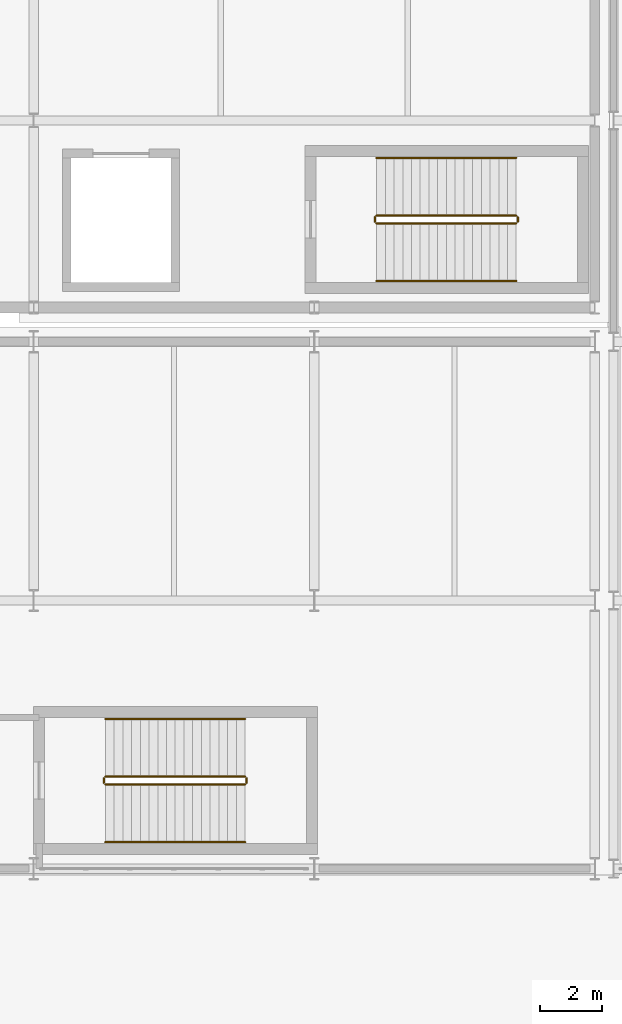
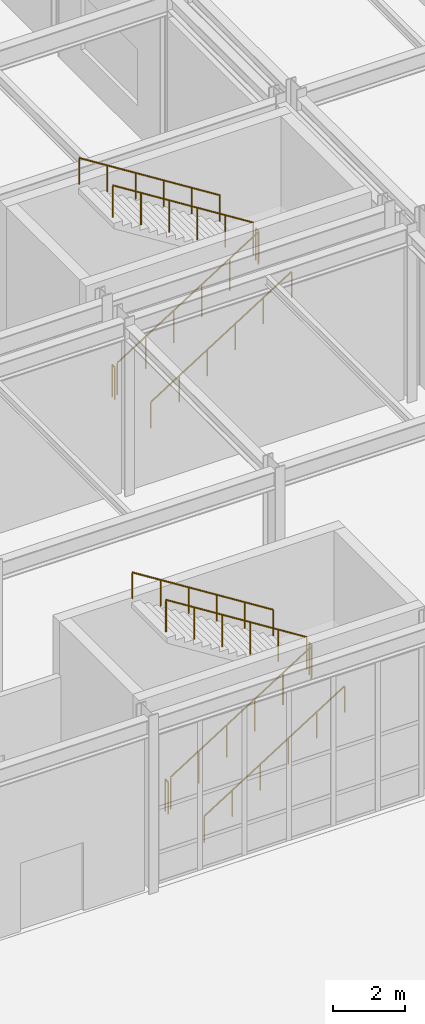
# One storey, part 136 of 146: 12 railings.
"""IFC4 building model written with IfcOpenShell, lengths in metres."""

import ifcopenshell
import ifcopenshell.guid

model = None  # the IFC model being written
_history = None  # IfcOwnerHistory: only IFC2X3 demands one
_inside = {}  # id of a spatial element -> (the spatial element, [elements in it])
_under = {}  # id of a project, library or spatial element -> (it, [spatial elements below it])
_declared = {}  # id of a project -> (the project, [libraries it declares])
_typed = {}  # id of a type object -> (the type object, [elements of that type])
_made_of = {}  # id of a material, layer set ... -> (it, [elements and type objects made of it])


def new_model(schema):
    """Start an empty IFC model of exactly this schema.

    Asked for "IFC4X3", IfcOpenShell would pick the latest addendum, in which some entities
    have other attributes; the version numbers below select the first issue.
    IFC2X3 requires an IfcOwnerHistory on every rooted entity: one is made here for all.
    """
    global model, _history
    if schema == "IFC4X3":
        model = ifcopenshell.file(schema_version=(4, 3, 0, 0))
    else:
        model = ifcopenshell.file(schema=schema)
    _inside.clear()
    _under.clear()
    _declared.clear()
    _typed.clear()
    _made_of.clear()
    _history = None
    if model.schema == "IFC2X3":
        org = make("IfcOrganization", Name="unknown")
        user = make(
            "IfcPersonAndOrganization",
            ThePerson=make("IfcPerson", FamilyName="unknown"),
            TheOrganization=org,
        )
        app = make(
            "IfcApplication",
            ApplicationDeveloper=org,
            Version="unknown",
            ApplicationFullName="unknown",
            ApplicationIdentifier="unknown",
        )
        _history = make(
            "IfcOwnerHistory",
            OwningUser=user,
            OwningApplication=app,
            ChangeAction="ADDED",
            CreationDate=0,
        )
    return model


def make(cls, **values):
    """One entity of the class cls with the attributes given. An attribute that is None is left unset."""
    return model.create_entity(
        cls, **{name: value for name, value in values.items() if value is not None}
    )


def rooted(cls, **values):
    """An entity with a GlobalId (a new one), such as an element, a storey or a relation."""
    return make(cls, GlobalId=ifcopenshell.guid.new(), OwnerHistory=_history, **values)


def si_unit(unit_type, name, prefix=None):
    """IfcSIUnit, for example si_unit("LENGTHUNIT", "METRE", prefix="MILLI")."""
    return make("IfcSIUnit", UnitType=unit_type, Prefix=prefix, Name=name)


def assignment(units):
    """IfcUnitAssignment: the units of a project."""
    return None if units is None else make("IfcUnitAssignment", Units=units)


def point(xyz):
    """IfcCartesianPoint."""
    return None if xyz is None else make("IfcCartesianPoint", Coordinates=xyz)


def direction(xyz):
    """IfcDirection."""
    return None if xyz is None else make("IfcDirection", DirectionRatios=xyz)


def frame(location, z_axis=None, x_axis=None):
    """IfcAxis2Placement3D, a coordinate frame: its origin and axes. An axis left out is left unset."""
    return make(
        "IfcAxis2Placement3D",
        Location=point(location),
        Axis=direction(z_axis),
        RefDirection=direction(x_axis),
    )


def frame_2d(location, x_axis=None):
    """IfcAxis2Placement2D, a coordinate frame in the plane: its origin and x axis."""
    return make(
        "IfcAxis2Placement2D", Location=point(location), RefDirection=direction(x_axis)
    )


def origin():
    """The frame at (0, 0, 0) with its axes left unset."""
    return frame((0.0, 0.0, 0.0))


def origin_2d():
    """The frame at (0, 0) in the plane with its x axis left unset."""
    return frame_2d((0.0, 0.0))


def place(relative_to, where):
    """IfcLocalPlacement: puts the frame where relative to a parent placement (None: the world)."""
    return make(
        "IfcLocalPlacement", PlacementRelTo=relative_to, RelativePlacement=where
    )


def context(
    kind, dimensions, precision=None, world=None, true_north=None, identifier=None
):
    """IfcGeometricRepresentationContext, for example the 3D "Model" context."""
    return make(
        "IfcGeometricRepresentationContext",
        ContextIdentifier=identifier,
        ContextType=kind,
        CoordinateSpaceDimension=dimensions,
        Precision=precision,
        WorldCoordinateSystem=world,
        TrueNorth=true_north,
    )


def subcontext(parent, identifier, kind, view, scale=None):
    """IfcGeometricRepresentationSubContext, for example "Body" below "Model"."""
    return make(
        "IfcGeometricRepresentationSubContext",
        ContextIdentifier=identifier,
        ContextType=kind,
        ParentContext=parent,
        TargetScale=scale,
        TargetView=view,
    )


def project(units=None, contexts=None):
    """IfcProject with its units and contexts."""
    return rooted(
        "IfcProject",
        Name="project",
        RepresentationContexts=contexts,
        UnitsInContext=assignment(units),
    )


def spatial(cls, under=None, at=None, **own):
    """A site, building, storey or space (cls), placed at a placement, below another one or the project."""
    s = rooted(cls, ObjectPlacement=at, **own)
    if under is not None:
        _under.setdefault(under.id(), (under, []))[1].append(s)
    return s


def profile(cls, at=None, kind="AREA", **sizes):
    """A parametric profile (cls). Its sizes go by their IFC names, for example OverallWidth=200.0."""
    return make(cls, ProfileType=kind, Position=at, **sizes)


def circle(**sizes):
    """IfcCircleProfileDef."""
    return profile("IfcCircleProfileDef", **sizes)


def extrude(swept, where, along, depth):
    """IfcExtrudedAreaSolid: the profile swept, set in the frame where, extruded along a direction by depth."""
    return make(
        "IfcExtrudedAreaSolid",
        SweptArea=swept,
        Position=where,
        ExtrudedDirection=direction(along),
        Depth=depth,
    )


def shape(context_of_items, identifier, shape_type, items):
    """IfcShapeRepresentation: the items that make up one representation, for example the "Body"."""
    return make(
        "IfcShapeRepresentation",
        ContextOfItems=context_of_items,
        RepresentationIdentifier=identifier,
        RepresentationType=shape_type,
        Items=items,
    )


def material(Name=None, Category=None):
    """IfcMaterial."""
    return make("IfcMaterial", Name=Name, Category=Category)


def made_of(thing, what):
    """Note that an element or type object is made of a material, layer set ...; save() writes the relation."""
    if what is not None:
        _made_of.setdefault(what.id(), (what, []))[1].append(thing)
    return thing


def type_object(cls, material=None, **own):
    """A type object (cls), such as IfcWallType, which elements share."""
    return made_of(rooted(cls, **own), material)


def element(
    cls,
    number,
    at=None,
    inside=None,
    cuts=None,
    type_object=None,
    material=None,
    context=None,
    identifier="Body",
    shape_type=None,
    held_by="IfcProductDefinitionShape",
    body=None,
    shapes=None,
    **own,
):
    """One element of the class cls, such as IfcWall. Its Tag is "e" and its number.

    at: its placement. inside: the storey or other place that contains it. cuts: it is an
    opening in that element (IfcRelVoidsElement). A single representation is given by context,
    identifier, shape_type and body (its items); several are given by shapes. held_by: the class
    of the entity that holds the representations. save() writes the other relations.
    """
    e = rooted(cls, Tag="e%d" % number, ObjectPlacement=at, **own)
    if body is not None:
        shapes = [shape(context, identifier, shape_type, body)]
    if shapes is not None:
        e.Representation = make(held_by, Representations=shapes)
    if inside is not None:
        _inside.setdefault(inside.id(), (inside, []))[1].append(e)
    if cuts is not None:
        rooted(
            "IfcRelVoidsElement", RelatingBuildingElement=cuts, RelatedOpeningElement=e
        )
    if type_object is not None:
        _typed.setdefault(type_object.id(), (type_object, []))[1].append(e)
    return made_of(e, material)


def aggregate(whole, parts):
    """IfcRelAggregates: a whole, such as a stair, and the parts it consists of."""
    return rooted("IfcRelAggregates", RelatingObject=whole, RelatedObjects=parts)


def save(model, path):
    """Write the relations noted so far, then the file.

    IfcRelAggregates (storeys below a building ...), IfcRelContainedInSpatialStructure (elements
    in a storey), IfcRelDefinesByType, IfcRelAssociatesMaterial and IfcRelDeclares: one each for
    every whole, place, type object, material and project.
    """
    for whole, parts in _under.values():
        aggregate(whole, parts)
    for where, things in _inside.values():
        rooted(
            "IfcRelContainedInSpatialStructure",
            RelatedElements=things,
            RelatingStructure=where,
        )
    for kind, things in _typed.values():
        rooted("IfcRelDefinesByType", RelatedObjects=things, RelatingType=kind)
    for what, things in _made_of.values():
        rooted("IfcRelAssociatesMaterial", RelatedObjects=things, RelatingMaterial=what)
    for by, libraries in _declared.values():
        rooted("IfcRelDeclares", RelatingContext=by, RelatedDefinitions=libraries)
    model.write(path)


model = new_model("IFC4")

# Units and contexts
model_context = context("Model", 3, precision=1e-05, world=origin(), true_north=direction((0.0, 1.0)))
body_context = subcontext(model_context, "Body", "Model", "MODEL_VIEW")
ifc_project = project(units=[si_unit("LENGTHUNIT", "METRE"), si_unit("AREAUNIT", "SQUARE_METRE"), si_unit("VOLUMEUNIT", "CUBIC_METRE"), si_unit("PLANEANGLEUNIT", "RADIAN"), si_unit("MASSUNIT", "GRAM", prefix="KILO")], contexts=[model_context])

# Site, building, storey
site_placement = place(None, origin())
site = spatial("IfcSite", under=ifc_project, at=site_placement, CompositionType="ELEMENT")
building_placement = place(site_placement, origin())
building = spatial("IfcBuilding", under=site, at=building_placement, Name="Kaldris Quays Convention Centre", CompositionType="ELEMENT")
storey_placement = place(building_placement, origin())
storey = spatial("IfcBuildingStorey", under=building, at=storey_placement, Name="L00", CompositionType="ELEMENT", Elevation=0.0)

# Railings
ifc_material_1 = material(Name="Steel S355J2", Category="steel")
railing_type_1 = type_object("IfcRailingType", Name="INTERIOR GUARDRAIL GR01", PredefinedType="GUARDRAIL", material=ifc_material_1)
railing_1_placement = place(storey_placement, frame((139.0, 58.699951171875, 0.176513671875)))
element("IfcRailing", 1, at=railing_1_placement, inside=storey, type_object=railing_type_1, Name="L00 ST02 Stair Guardrail 1", PredefinedType="GUARDRAIL", context=body_context, shape_type="SweptSolid", body=[
    extrude(circle(Radius=0.02392578125, at=origin_2d()), frame((0.0, 0.0, 1.076171875), z_axis=(0.845997938375, 0.0, 0.533186166611), x_axis=(0.0, 1.0, 0.0)), (0.0, 0.0, 1.0), 5.29541015625),
    extrude(circle(Radius=0.02099609375, at=origin_2d()), origin(), (0.0, 0.0, 1.0), 1.052001953125),
    extrude(circle(Radius=0.02099609375, at=origin_2d()), frame((0.89599609375, 0.0, 0.564697265625)), (0.0, 0.0, 1.0), 1.052001953125),
    extrude(circle(Radius=0.02099609375, at=origin_2d()), frame((1.7919921875, 0.0, 1.12939453125)), (0.0, 0.0, 1.0), 1.052001953125),
    extrude(circle(Radius=0.02099609375, at=origin_2d()), frame((2.68798828125, 0.0, 1.694091796875)), (0.0, 0.0, 1.0), 1.052001953125),
    extrude(circle(Radius=0.02099609375, at=origin_2d()), frame((3.583984375, 0.0, 2.2587890625)), (0.0, 0.0, 1.0), 1.052001953125),
    extrude(circle(Radius=0.02099609375, at=origin_2d()), frame((4.47998046875, 0.0, 2.823486328125)), (0.0, 0.0, 1.0), 1.052001953125),
])
railing_2_placement = place(storey_placement, frame((143.530029296875, 58.75, 3.0)))
element("IfcRailing", 2, at=railing_2_placement, inside=storey, type_object=railing_type_1, Name="L00 ST02 Stair Guardrail 2", PredefinedType="GUARDRAIL", context=body_context, shape_type="SweptSolid", body=[
    extrude(circle(Radius=0.02392578125, at=origin_2d()), frame((0.0, 0.0, 1.076171875), z_axis=(0.0, 1.0, 0.0), x_axis=(-1.0, 0.0, 0.0)), (0.0, 0.0, 1.0), 0.14990234375),
    extrude(circle(Radius=0.02099609375, at=origin_2d()), origin(), (0.0, 0.0, 1.0), 1.052001953125),
    extrude(circle(Radius=0.02099609375, at=origin_2d()), frame((0.0, 0.14990234375, 0.0)), (0.0, 0.0, 1.0), 1.052001953125),
])
railing_3_placement = place(storey_placement, frame((143.47998046875, 58.949951171875, 3.176513671875)))
element("IfcRailing", 3, at=railing_3_placement, inside=storey, type_object=railing_type_1, Name="L00 ST02 Stair Guardrail 3", PredefinedType="GUARDRAIL", context=body_context, shape_type="SweptSolid", body=[
    extrude(circle(Radius=0.02392578125, at=origin_2d()), frame((0.0, 0.0, 1.076171875), z_axis=(-0.845997938375, 0.0, 0.533186166611), x_axis=(0.0, -1.0, 0.0)), (0.0, 0.0, 1.0), 5.29541015625),
    extrude(circle(Radius=0.02099609375, at=origin_2d()), origin(), (0.0, 0.0, 1.0), 1.052001953125),
    extrude(circle(Radius=0.02099609375, at=origin_2d()), frame((-0.89599609375, 0.0, 0.564697265625)), (0.0, 0.0, 1.0), 1.052001953125),
    extrude(circle(Radius=0.02099609375, at=origin_2d()), frame((-1.7919921875, 0.0, 1.12939453125)), (0.0, 0.0, 1.0), 1.052001953125),
    extrude(circle(Radius=0.02099609375, at=origin_2d()), frame((-2.68798828125, 0.0, 1.694091796875)), (0.0, 0.0, 1.0), 1.052001953125),
    extrude(circle(Radius=0.02099609375, at=origin_2d()), frame((-3.583984375, 0.0, 2.2587890625)), (0.0, 0.0, 1.0), 1.052001953125),
    extrude(circle(Radius=0.02099609375, at=origin_2d()), frame((-4.47998046875, 0.0, 2.823486328125)), (0.0, 0.0, 1.0), 1.052001953125),
])
railing_4_placement = place(storey_placement, frame((138.949951171875, 58.75, 0.0)))
element("IfcRailing", 4, at=railing_4_placement, inside=storey, type_object=railing_type_1, Name="L00 ST02 Stair Guardrail 4", PredefinedType="GUARDRAIL", context=body_context, shape_type="SweptSolid", body=[
    extrude(circle(Radius=0.02392578125, at=origin_2d()), frame((0.0, 0.0, 1.076171875), z_axis=(0.0, 1.0, 0.0), x_axis=(-1.0, 0.0, 0.0)), (0.0, 0.0, 1.0), 0.14990234375),
    extrude(circle(Radius=0.02099609375, at=origin_2d()), origin(), (0.0, 0.0, 1.0), 1.052001953125),
    extrude(circle(Radius=0.02099609375, at=origin_2d()), frame((0.0, 0.14990234375, 0.0)), (0.0, 0.0, 1.0), 1.052001953125),
])
railing_5_placement = place(storey_placement, frame((130.300048828125, 40.699951171875, 0.176513671875)))
element("IfcRailing", 5, at=railing_5_placement, inside=storey, type_object=railing_type_1, Name="L00 ST12 Stair Guardrail 1", PredefinedType="GUARDRAIL", context=body_context, shape_type="SweptSolid", body=[
    extrude(circle(Radius=0.02392578125, at=origin_2d()), frame((0.0, 0.0, 1.076171875), z_axis=(0.845997938375, 0.0, 0.533186166611), x_axis=(0.0, 1.0, 0.0)), (0.0, 0.0, 1.0), 5.29541015625),
    extrude(circle(Radius=0.02099609375, at=origin_2d()), origin(), (0.0, 0.0, 1.0), 1.052001953125),
    extrude(circle(Radius=0.02099609375, at=origin_2d()), frame((0.89599609375, 0.0, 0.564697265625)), (0.0, 0.0, 1.0), 1.052001953125),
    extrude(circle(Radius=0.02099609375, at=origin_2d()), frame((1.7919921875, 0.0, 1.12939453125)), (0.0, 0.0, 1.0), 1.052001953125),
    extrude(circle(Radius=0.02099609375, at=origin_2d()), frame((2.68798828125, 0.0, 1.694091796875)), (0.0, 0.0, 1.0), 1.052001953125),
    extrude(circle(Radius=0.02099609375, at=origin_2d()), frame((3.583984375, 0.0, 2.2587890625)), (0.0, 0.0, 1.0), 1.052001953125),
    extrude(circle(Radius=0.02099609375, at=origin_2d()), frame((4.47998046875, 0.0, 2.823486328125)), (0.0, 0.0, 1.0), 1.052001953125),
])
railing_6_placement = place(storey_placement, frame((134.830078125, 40.75, 3.0)))
element("IfcRailing", 6, at=railing_6_placement, inside=storey, type_object=railing_type_1, Name="L00 ST12 Stair Guardrail 2", PredefinedType="GUARDRAIL", context=body_context, shape_type="SweptSolid", body=[
    extrude(circle(Radius=0.02392578125, at=origin_2d()), frame((0.0, 0.0, 1.076171875), z_axis=(0.0, 1.0, 0.0), x_axis=(-1.0, 0.0, 0.0)), (0.0, 0.0, 1.0), 0.14990234375),
    extrude(circle(Radius=0.02099609375, at=origin_2d()), origin(), (0.0, 0.0, 1.0), 1.052001953125),
    extrude(circle(Radius=0.02099609375, at=origin_2d()), frame((0.0, 0.14990234375, 0.0)), (0.0, 0.0, 1.0), 1.052001953125),
])
railing_7_placement = place(storey_placement, frame((134.780029296875, 40.949951171875, 3.176513671875)))
element("IfcRailing", 7, at=railing_7_placement, inside=storey, type_object=railing_type_1, Name="L00 ST12 Stair Guardrail 3", PredefinedType="GUARDRAIL", context=body_context, shape_type="SweptSolid", body=[
    extrude(circle(Radius=0.02392578125, at=origin_2d()), frame((0.0, 0.0, 1.076171875), z_axis=(-0.845997938375, 0.0, 0.533186166611), x_axis=(0.0, -1.0, 0.0)), (0.0, 0.0, 1.0), 5.29541015625),
    extrude(circle(Radius=0.02099609375, at=origin_2d()), origin(), (0.0, 0.0, 1.0), 1.052001953125),
    extrude(circle(Radius=0.02099609375, at=origin_2d()), frame((-0.89599609375, 0.0, 0.564697265625)), (0.0, 0.0, 1.0), 1.052001953125),
    extrude(circle(Radius=0.02099609375, at=origin_2d()), frame((-1.7919921875, 0.0, 1.12939453125)), (0.0, 0.0, 1.0), 1.052001953125),
    extrude(circle(Radius=0.02099609375, at=origin_2d()), frame((-2.68798828125, 0.0, 1.694091796875)), (0.0, 0.0, 1.0), 1.052001953125),
    extrude(circle(Radius=0.02099609375, at=origin_2d()), frame((-3.583984375, 0.0, 2.2587890625)), (0.0, 0.0, 1.0), 1.052001953125),
    extrude(circle(Radius=0.02099609375, at=origin_2d()), frame((-4.47998046875, 0.0, 2.823486328125)), (0.0, 0.0, 1.0), 1.052001953125),
])
railing_8_placement = place(storey_placement, frame((130.25, 40.75, 0.0)))
element("IfcRailing", 8, at=railing_8_placement, inside=storey, type_object=railing_type_1, Name="L00 ST12 Stair Guardrail 4", PredefinedType="GUARDRAIL", context=body_context, shape_type="SweptSolid", body=[
    extrude(circle(Radius=0.02392578125, at=origin_2d()), frame((0.0, 0.0, 1.076171875), z_axis=(0.0, 1.0, 0.0), x_axis=(-1.0, 0.0, 0.0)), (0.0, 0.0, 1.0), 0.14990234375),
    extrude(circle(Radius=0.02099609375, at=origin_2d()), origin(), (0.0, 0.0, 1.0), 1.052001953125),
    extrude(circle(Radius=0.02099609375, at=origin_2d()), frame((0.0, 0.14990234375, 0.0)), (0.0, 0.0, 1.0), 1.052001953125),
])
ifc_material_2 = material(Name="Stainless steel 1.4301", Category="steel")
railing_type_2 = type_object("IfcRailingType", Name="STAIR HANDRAIL HR01", PredefinedType="HANDRAIL", material=ifc_material_2)
railing_9_placement = place(storey_placement, frame((139.0, 56.85009765625, 0.176513671875)))
element("IfcRailing", 9, at=railing_9_placement, inside=storey, type_object=railing_type_2, Name="L00 ST02 Flight Handrail 1", PredefinedType="HANDRAIL", context=body_context, shape_type="SweptSolid", body=[
    extrude(circle(Radius=0.02392578125, at=origin_2d()), frame((0.0, 0.0, 0.8759765625), z_axis=(0.845997938375, 0.0, 0.533186166611), x_axis=(0.0, 1.0, 0.0)), (0.0, 0.0, 1.0), 5.29541015625),
    extrude(circle(Radius=0.02099609375, at=origin_2d()), origin(), (0.0, 0.0, 1.0), 0.851806640625),
    extrude(circle(Radius=0.02099609375, at=origin_2d()), frame((0.89599609375, 0.0, 0.564697265625)), (0.0, 0.0, 1.0), 0.851806640625),
    extrude(circle(Radius=0.02099609375, at=origin_2d()), frame((1.7919921875, 0.0, 1.12939453125)), (0.0, 0.0, 1.0), 0.851806640625),
    extrude(circle(Radius=0.02099609375, at=origin_2d()), frame((2.68798828125, 0.0, 1.694091796875)), (0.0, 0.0, 1.0), 0.851806640625),
    extrude(circle(Radius=0.02099609375, at=origin_2d()), frame((3.583984375, 0.0, 2.2587890625)), (0.0, 0.0, 1.0), 0.851806640625),
    extrude(circle(Radius=0.02099609375, at=origin_2d()), frame((4.47998046875, 0.0, 2.823486328125)), (0.0, 0.0, 1.0), 0.851806640625),
])
railing_10_placement = place(storey_placement, frame((143.47998046875, 60.800048828125, 3.176513671875)))
element("IfcRailing", 10, at=railing_10_placement, inside=storey, type_object=railing_type_2, Name="L00 ST02 Flight Handrail 2", PredefinedType="HANDRAIL", context=body_context, shape_type="SweptSolid", body=[
    extrude(circle(Radius=0.02392578125, at=origin_2d()), frame((0.0, 0.0, 0.8759765625), z_axis=(-0.845997938375, 0.0, 0.533186166611), x_axis=(0.0, -1.0, 0.0)), (0.0, 0.0, 1.0), 5.29541015625),
    extrude(circle(Radius=0.02099609375, at=origin_2d()), origin(), (0.0, 0.0, 1.0), 0.851806640625),
    extrude(circle(Radius=0.02099609375, at=origin_2d()), frame((-0.89599609375, 0.0, 0.564697265625)), (0.0, 0.0, 1.0), 0.851806640625),
    extrude(circle(Radius=0.02099609375, at=origin_2d()), frame((-1.7919921875, 0.0, 1.12939453125)), (0.0, 0.0, 1.0), 0.851806640625),
    extrude(circle(Radius=0.02099609375, at=origin_2d()), frame((-2.68798828125, 0.0, 1.694091796875)), (0.0, 0.0, 1.0), 0.851806640625),
    extrude(circle(Radius=0.02099609375, at=origin_2d()), frame((-3.583984375, 0.0, 2.2587890625)), (0.0, 0.0, 1.0), 0.851806640625),
    extrude(circle(Radius=0.02099609375, at=origin_2d()), frame((-4.47998046875, 0.0, 2.823486328125)), (0.0, 0.0, 1.0), 0.851806640625),
])
railing_11_placement = place(storey_placement, frame((130.300048828125, 38.85009765625, 0.176513671875)))
element("IfcRailing", 11, at=railing_11_placement, inside=storey, type_object=railing_type_2, Name="L00 ST12 Flight Handrail 1", PredefinedType="HANDRAIL", context=body_context, shape_type="SweptSolid", body=[
    extrude(circle(Radius=0.02392578125, at=origin_2d()), frame((0.0, 0.0, 0.8759765625), z_axis=(0.845997938375, 0.0, 0.533186166611), x_axis=(0.0, 1.0, 0.0)), (0.0, 0.0, 1.0), 5.29541015625),
    extrude(circle(Radius=0.02099609375, at=origin_2d()), origin(), (0.0, 0.0, 1.0), 0.851806640625),
    extrude(circle(Radius=0.02099609375, at=origin_2d()), frame((0.89599609375, 0.0, 0.564697265625)), (0.0, 0.0, 1.0), 0.851806640625),
    extrude(circle(Radius=0.02099609375, at=origin_2d()), frame((1.7919921875, 0.0, 1.12939453125)), (0.0, 0.0, 1.0), 0.851806640625),
    extrude(circle(Radius=0.02099609375, at=origin_2d()), frame((2.68798828125, 0.0, 1.694091796875)), (0.0, 0.0, 1.0), 0.851806640625),
    extrude(circle(Radius=0.02099609375, at=origin_2d()), frame((3.583984375, 0.0, 2.2587890625)), (0.0, 0.0, 1.0), 0.851806640625),
    extrude(circle(Radius=0.02099609375, at=origin_2d()), frame((4.47998046875, 0.0, 2.823486328125)), (0.0, 0.0, 1.0), 0.851806640625),
])
railing_12_placement = place(storey_placement, frame((134.780029296875, 42.800048828125, 3.176513671875)))
element("IfcRailing", 12, at=railing_12_placement, inside=storey, type_object=railing_type_2, Name="L00 ST12 Flight Handrail 2", PredefinedType="HANDRAIL", context=body_context, shape_type="SweptSolid", body=[
    extrude(circle(Radius=0.02392578125, at=origin_2d()), frame((0.0, 0.0, 0.8759765625), z_axis=(-0.845997938375, 0.0, 0.533186166611), x_axis=(0.0, -1.0, 0.0)), (0.0, 0.0, 1.0), 5.29541015625),
    extrude(circle(Radius=0.02099609375, at=origin_2d()), origin(), (0.0, 0.0, 1.0), 0.851806640625),
    extrude(circle(Radius=0.02099609375, at=origin_2d()), frame((-0.89599609375, 0.0, 0.564697265625)), (0.0, 0.0, 1.0), 0.851806640625),
    extrude(circle(Radius=0.02099609375, at=origin_2d()), frame((-1.7919921875, 0.0, 1.12939453125)), (0.0, 0.0, 1.0), 0.851806640625),
    extrude(circle(Radius=0.02099609375, at=origin_2d()), frame((-2.68798828125, 0.0, 1.694091796875)), (0.0, 0.0, 1.0), 0.851806640625),
    extrude(circle(Radius=0.02099609375, at=origin_2d()), frame((-3.583984375, 0.0, 2.2587890625)), (0.0, 0.0, 1.0), 0.851806640625),
    extrude(circle(Radius=0.02099609375, at=origin_2d()), frame((-4.47998046875, 0.0, 2.823486328125)), (0.0, 0.0, 1.0), 0.851806640625),
])

save(model, "model.ifc")
